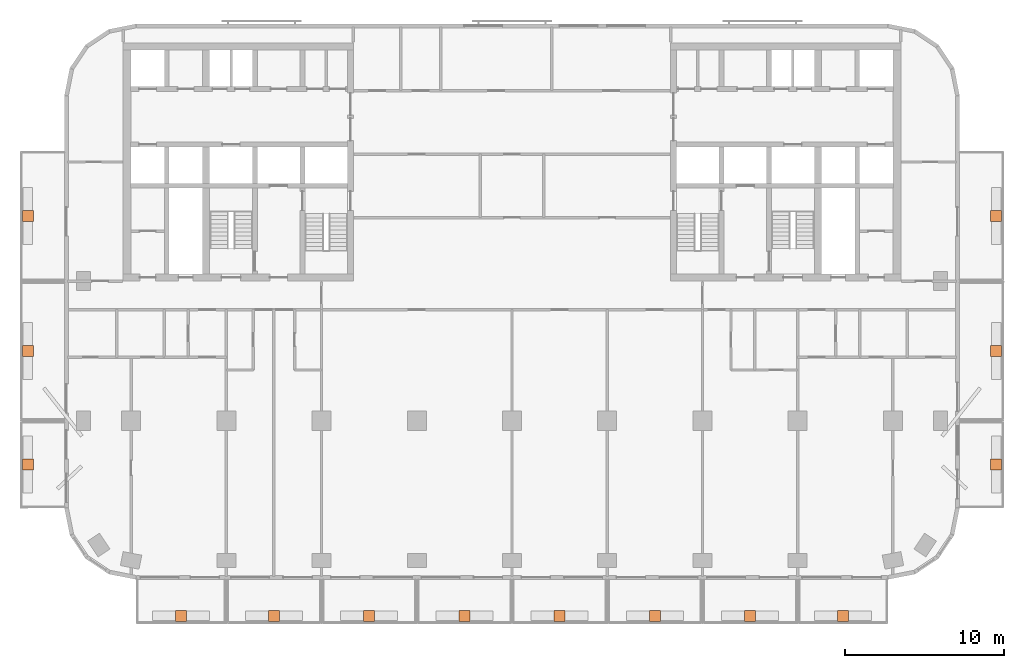
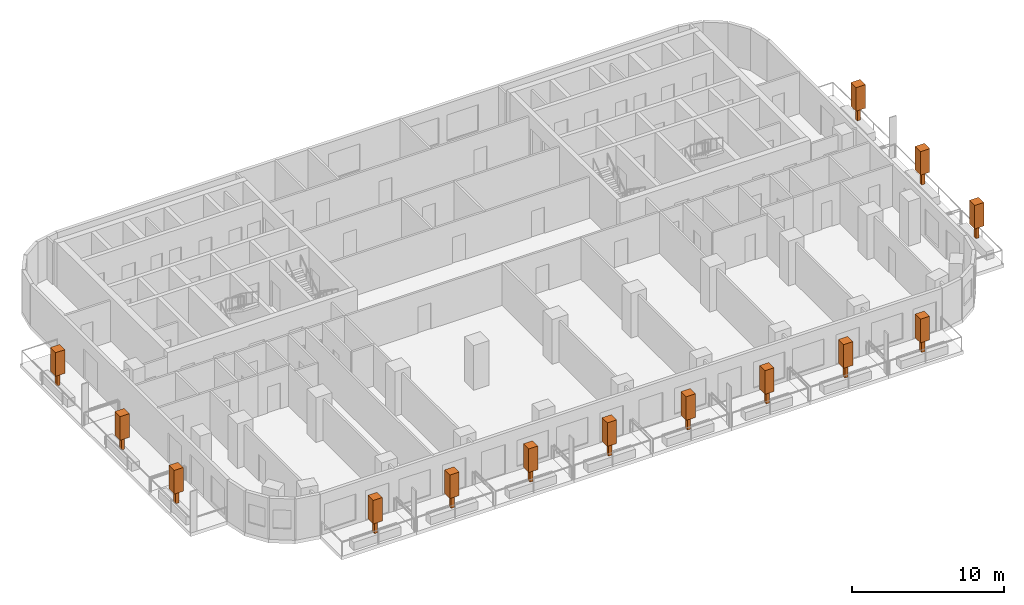
# One storey, part 12 of 12: 14 geographic elements.
"""IFC4 building model written with IfcOpenShell, lengths in metres."""

from ifc_helpers import new_model, si_unit, direction, frame, origin, origin_2d, place, context, subcontext, project, spatial, rectangle, extrude, material, element, save


model = new_model("IFC4")

# Units and contexts
model_context = context("Model", 3, precision=1e-05, world=origin(), true_north=direction((0.0, 1.0)))
body_context = subcontext(model_context, "Body", "Model", "MODEL_VIEW")
ifc_project = project(units=[si_unit("LENGTHUNIT", "METRE"), si_unit("AREAUNIT", "SQUARE_METRE"), si_unit("VOLUMEUNIT", "CUBIC_METRE"), si_unit("PLANEANGLEUNIT", "RADIAN"), si_unit("MASSUNIT", "GRAM", prefix="KILO")], contexts=[model_context])

# Site, building, storey
site_placement = place(None, origin())
site = spatial("IfcSite", under=ifc_project, at=site_placement, CompositionType="ELEMENT")
building_placement = place(site_placement, origin())
building = spatial("IfcBuilding", under=site, at=building_placement, Name="Torana Hotel and Residences", CompositionType="ELEMENT")
storey_placement = place(building_placement, frame((0.0, 0.0, 112.800048828125)))
storey = spatial("IfcBuildingStorey", under=building, at=storey_placement, Name="L28", CompositionType="ELEMENT", Elevation=112.800048828125)

# Geographic elements
ifc_material = material(Name="Foliage", Category="planting")
for number, where, z_axis, x_axis, name in (
    (1, (-20.85009765625, -36.10009765625, 0.64990234375), (0.0, 0.0, 1.0), (1.0, 0.0, 0.0), "Tree 01"),
    (2, (-15.0, -36.10009765625, 0.64990234375), (0.0, 0.0, 1.0), (1.0, 0.0, 0.0), "Tree 02"),
    (3, (-9.0, -36.10009765625, 0.64990234375), (0.0, 0.0, 1.0), (1.0, 0.0, 0.0), "Tree 03"),
    (4, (-3.0, -36.10009765625, 0.64990234375), (0.0, 0.0, 1.0), (1.0, 0.0, 0.0), "Tree 04"),
    (5, (3.0, -36.10009765625, 0.64990234375), (0.0, 0.0, 1.0), (1.0, 0.0, 0.0), "Tree 05"),
    (6, (9.0, -36.10009765625, 0.64990234375), (0.0, 0.0, 1.0), (1.0, 0.0, 0.0), "Tree 06"),
    (7, (15.0, -36.10009765625, 0.64990234375), (0.0, 0.0, 1.0), (1.0, 0.0, 0.0), "Tree 07"),
    (8, (20.85009765625, -36.10009765625, 0.64990234375), (0.0, 0.0, 1.0), (1.0, 0.0, 0.0), "Tree 08"),
    (9, (-30.5, -26.550048828125, 0.64990234375), (0.0, 0.0, 1.0), (1.0, 0.0, 0.0), "Tree 09"),
    (10, (-30.5, -19.39990234375, 0.64990234375), (0.0, 0.0, 1.0), (1.0, 0.0, 0.0), "Tree 10"),
    (11, (-30.5, -10.89990234375, 0.64990234375), (0.0, 0.0, 1.0), (1.0, 0.0, 0.0), "Tree 11"),
    (12, (30.5, -26.550048828125, 0.64990234375), (0.0, 0.0, 1.0), (1.0, 0.0, 0.0), "Tree 12"),
    (13, (30.5, -19.39990234375, 0.64990234375), (0.0, 0.0, 1.0), (1.0, 0.0, 0.0), "Tree 13"),
    (14, (30.5, -10.89990234375, 0.64990234375), (0.0, 0.0, 1.0), (1.0, 0.0, 0.0), "Tree 14"),
):
    element("IfcGeographicElement", number, at=place(storey_placement, frame(where, z_axis=z_axis, x_axis=x_axis)), inside=storey, material=ifc_material, Name=name, ObjectType="TREE", PredefinedType="USERDEFINED", context=body_context, shape_type="SweptSolid", body=[
        extrude(rectangle(XDim=0.25, YDim=0.25, at=origin_2d()), origin(), (0.0, 0.0, 1.0), 1.0),
        extrude(rectangle(XDim=0.699951171875, YDim=0.699951171875, at=origin_2d()), frame((0.0, 0.0, 1.0)), (0.0, 0.0, 1.0), 1.89990234375),
    ])

save(model, "model.ifc")
